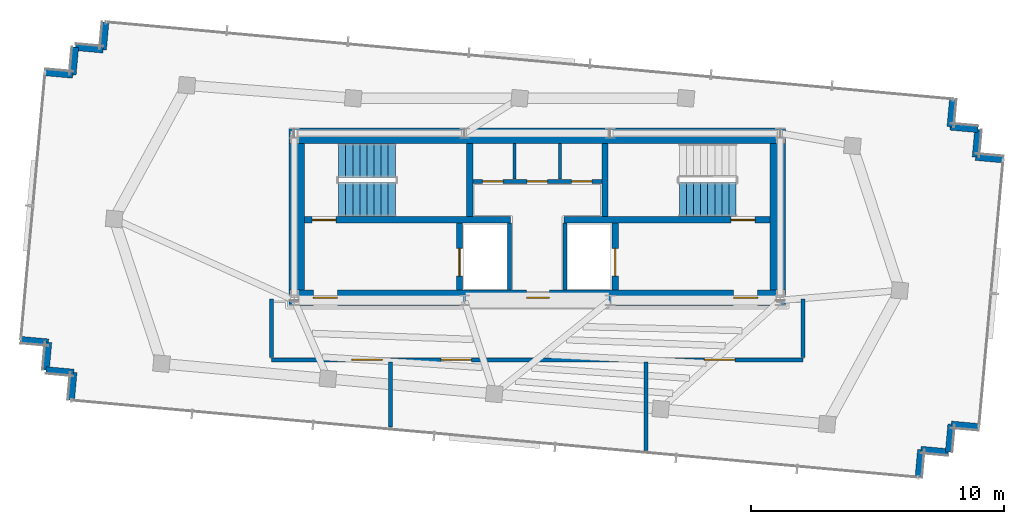
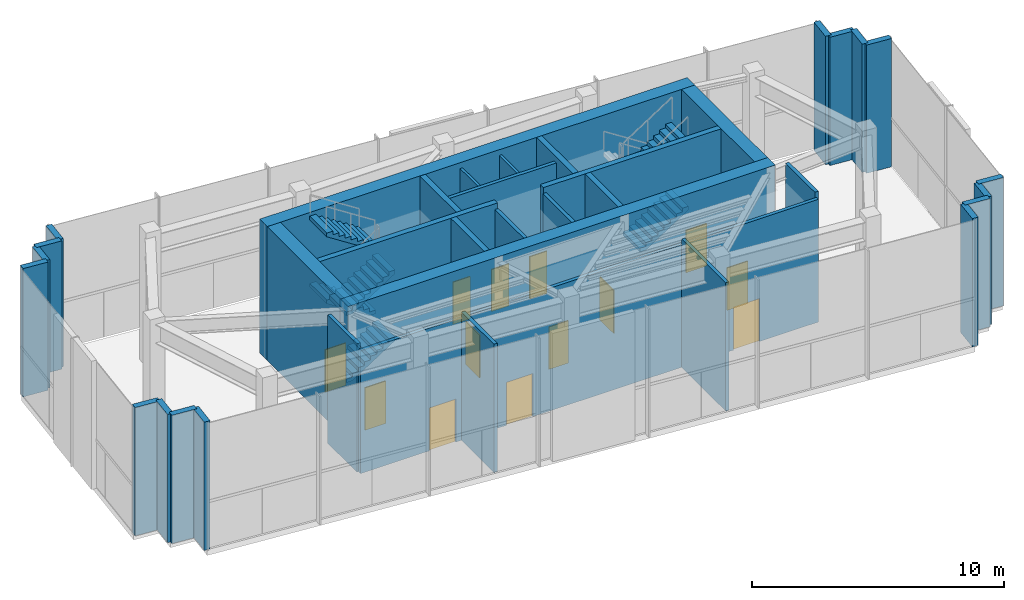
# One storey, part 16 of 19: 36 walls, 13 doors, 6 stair flights, 13 openings, 2 elements without a shape of their own.
"""IFC4 building model written with IfcOpenShell, lengths in metres."""

from ifc_helpers import new_model, si_unit, direction, frame, frame_2d, origin, place, context, subcontext, project, spatial, polyline, rectangle, outline, extrude, source, transform, mapped, material, layer, layer_set, type_object, type_shapes, element, fill, aggregate, save


model = new_model("IFC4")

# Units and contexts
model_context = context("Model", 3, precision=1e-05, world=origin(), true_north=direction((0.0, 1.0)))
body_context = subcontext(model_context, "Body", "Model", "MODEL_VIEW")
ifc_project = project(units=[si_unit("LENGTHUNIT", "METRE"), si_unit("AREAUNIT", "SQUARE_METRE"), si_unit("VOLUMEUNIT", "CUBIC_METRE"), si_unit("PLANEANGLEUNIT", "RADIAN"), si_unit("MASSUNIT", "GRAM", prefix="KILO")], contexts=[model_context])

# Site, building, storey
site_placement = place(None, origin())
site = spatial("IfcSite", under=ifc_project, at=site_placement, CompositionType="ELEMENT")
building_placement = place(site_placement, origin())
building = spatial("IfcBuilding", under=site, at=building_placement, Name="Astriad Promenade Condominiums", CompositionType="ELEMENT")
storey_placement = place(building_placement, frame((0.0, 0.0, 283.800048828125)))
storey = spatial("IfcBuildingStorey", under=building, at=storey_placement, Name="L79", CompositionType="ELEMENT", Elevation=283.800048828125)

# Wall, openings, doors
ifc_material_1 = material(Name="Concrete C50/60", Category="concrete")
ifc_layer_1 = layer(ifc_material_1, 0.60009765625)
ifc_layer_set_1 = layer_set([ifc_layer_1], Name="Concrete C50/60")
wall_type_1 = type_object("IfcWallType", Name="CW-SHEAR-600", PredefinedType="SHEAR", material=ifc_layer_set_1)
wall_1_placement = place(storey_placement, frame((26.199951171875, 17.5, 0.0), z_axis=(0.0, 0.0, 1.0), x_axis=(1.0, 0.0, 0.0)))
wall_1 = element("IfcWall", 1, at=wall_1_placement, inside=storey, type_object=wall_type_1, Name="CW-CORE-S-L79", PredefinedType="SHEAR", context=body_context, shape_type="SweptSolid", body=[
    extrude(rectangle(XDim=19.60009765625, YDim=0.60009765625, at=frame_2d((9.800048828125, 0.0))), origin(), (0.0, 0.0, 1.0), 6.5),
])
opening_1_placement = place(wall_1_placement, frame((0.949951171875, 0.0, 0.0)))
opening_1 = element("IfcOpeningElement", 2, at=opening_1_placement, cuts=wall_1, Name="Opening FD90-ST-095", PredefinedType="OPENING", context=body_context, shape_type="SweptSolid", body=[
    extrude(rectangle(XDim=0.949951171875, YDim=2.06005859375, at=frame_2d((0.47509765625, 1.030029296875))), frame((0.0, 0.31005859375, 0.0), z_axis=(0.0, -1.0, 0.0), x_axis=(1.0, 0.0, 0.0)), (0.0, 0.0, 1.0), 0.6201171875),
])
opening_2_placement = place(wall_1_placement, frame((9.3798828125, 0.0, 0.0)))
opening_2 = element("IfcOpeningElement", 3, at=opening_2_placement, cuts=wall_1, Name="Opening FD60-CSL-090", PredefinedType="OPENING", context=body_context, shape_type="SweptSolid", body=[
    extrude(rectangle(XDim=0.89990234375, YDim=2.06005859375, at=frame_2d((0.449951171875, 1.030029296875))), frame((0.0, 0.31005859375, 0.0), z_axis=(0.0, -1.0, 0.0), x_axis=(1.0, 0.0, 0.0)), (0.0, 0.0, 1.0), 0.6201171875),
])
opening_3_placement = place(wall_1_placement, frame((17.550048828125, 0.0, 0.0)))
opening_3 = element("IfcOpeningElement", 4, at=opening_3_placement, cuts=wall_1, Name="Opening FD90-ST-095", PredefinedType="OPENING", context=body_context, shape_type="SweptSolid", body=[
    extrude(rectangle(XDim=0.949951171875, YDim=2.06005859375, at=frame_2d((0.47509765625, 1.030029296875))), frame((0.0, 0.31005859375, 0.0), z_axis=(0.0, -1.0, 0.0), x_axis=(1.0, 0.0, 0.0)), (0.0, 0.0, 1.0), 0.6201171875),
])
ifc_material_2 = material(Name="Fire-Rated Hollow Metal Stair Door")
door_type_1 = type_object("IfcDoorType", Name="FD90-ST-095", OperationType="NOTDEFINED", PredefinedType="DOOR", material=ifc_material_2)
shared_shape_1 = source(origin(), body_context, "Body", "SweptSolid", [
    extrude(rectangle(XDim=0.949951171875, YDim=2.06005859375, at=frame_2d((0.47509765625, 1.030029296875))), frame((0.0, 0.02490234375, 0.0), z_axis=(0.0, -1.0, 0.0), x_axis=(1.0, 0.0, 0.0)), (0.0, 0.0, 1.0), 0.050048828125),
])
type_shapes(door_type_1, [shared_shape_1])
door_1_placement = place(opening_1_placement, origin())
door_1 = element("IfcDoor", 5, at=door_1_placement, inside=storey, type_object=door_type_1, Name="D-FFW-L79", OperationType="SINGLE_SWING_LEFT", OverallHeight=2.06005859375, OverallWidth=0.949951171875, PredefinedType="DOOR", context=body_context, shape_type="MappedRepresentation", body=[
    mapped(shared_shape_1, transform((0.0, 0.0, 0.0), scale=1.0)),
])
fill(opening_1, door_1)
door_2_placement = place(opening_3_placement, origin())
door_2 = element("IfcDoor", 6, at=door_2_placement, inside=storey, type_object=door_type_1, Name="D-FFE-L79", OperationType="SINGLE_SWING_RIGHT", OverallHeight=2.06005859375, OverallWidth=0.949951171875, PredefinedType="DOOR", context=body_context, shape_type="MappedRepresentation", body=[
    mapped(shared_shape_1, transform((0.0, 0.0, 0.0), scale=1.0)),
])
fill(opening_3, door_2)
ifc_material_3 = material(Name="Fire-Rated Service Lobby Door")
door_type_2 = type_object("IfcDoorType", Name="FD60-CSL-090", OperationType="NOTDEFINED", PredefinedType="DOOR", material=ifc_material_3)
shared_shape_2 = source(origin(), body_context, "Body", "SweptSolid", [
    extrude(rectangle(XDim=0.89990234375, YDim=2.06005859375, at=frame_2d((0.449951171875, 1.030029296875))), frame((0.0, 0.02490234375, 0.0), z_axis=(0.0, -1.0, 0.0), x_axis=(1.0, 0.0, 0.0)), (0.0, 0.0, 1.0), 0.050048828125),
])
type_shapes(door_type_2, [shared_shape_2])
door_3_placement = place(opening_2_placement, origin())
door_3 = element("IfcDoor", 7, at=door_3_placement, inside=storey, type_object=door_type_2, Name="D-CSL-L79", OperationType="SINGLE_SWING_RIGHT", OverallHeight=2.06005859375, OverallWidth=0.89990234375, PredefinedType="DOOR", context=body_context, shape_type="MappedRepresentation", body=[
    mapped(shared_shape_2, transform((0.0, 0.0, 0.0), scale=1.0)),
])
fill(opening_2, door_3)

# Walls
wall_2_placement = place(storey_placement, frame((26.199951171875, 23.89990234375, 0.0), z_axis=(0.0, 0.0, 1.0), x_axis=(1.0, 0.0, 0.0)))
element("IfcWall", 8, at=wall_2_placement, inside=storey, type_object=wall_type_1, Name="CW-CORE-N-L79", PredefinedType="SHEAR", context=body_context, shape_type="SweptSolid", body=[
    extrude(rectangle(XDim=19.60009765625, YDim=0.60009765625, at=frame_2d((9.800048828125, 0.0))), origin(), (0.0, 0.0, 1.0), 6.5),
])
for number, where, z_axis, x_axis, name in (
    (9, (26.5, 17.802001953125, 0.0), (0.0, 0.0, 1.0), (0.0, 1.0, 0.0), "CW-CORE-W-L79"),
    (10, (45.5, 17.802001953125, 0.0), (0.0, 0.0, 1.0), (0.0, 1.0, 0.0), "CW-CORE-E-L79"),
):
    element("IfcWall", number, at=place(storey_placement, frame(where, z_axis=z_axis, x_axis=x_axis)), inside=storey, type_object=wall_type_1, Name=name, PredefinedType="SHEAR", context=body_context, shape_type="SweptSolid", body=[
        extrude(rectangle(XDim=5.7958984375, YDim=0.60009765625, at=frame_2d((2.89794921875, 0.0))), origin(), (0.0, 0.0, 1.0), 6.5),
    ])

# Wall, opening, door
ifc_layer_2 = layer(ifc_material_1, 0.25)
ifc_layer_set_2 = layer_set([ifc_layer_2], Name="Concrete C50/60")
wall_type_2 = type_object("IfcWallType", Name="WALL-CORE-INT-250", PredefinedType="SOLIDWALL", material=ifc_layer_set_2)
wall_3_placement = place(storey_placement, frame((26.802001953125, 20.574951171875, 0.0), z_axis=(0.0, 0.0, 1.0), x_axis=(1.0, 0.0, 0.0)))
wall_3 = element("IfcWall", 11, at=wall_3_placement, inside=storey, type_object=wall_type_2, Name="CW-INT-H1-L79", PredefinedType="SOLIDWALL", context=body_context, shape_type="SweptSolid", body=[
    extrude(rectangle(XDim=8.14794921875, YDim=0.25, at=frame_2d((4.073974609375, 0.0))), origin(), (0.0, 0.0, 1.0), 6.5),
])
opening_4_placement = place(wall_3_placement, frame((0.298095703125, 0.0, 0.0)))
opening_4 = element("IfcOpeningElement", 12, at=opening_4_placement, cuts=wall_3, Name="Opening FD90-ST-095", PredefinedType="OPENING", context=body_context, shape_type="SweptSolid", body=[
    extrude(rectangle(XDim=0.949951171875, YDim=2.06005859375, at=frame_2d((0.47509765625, 1.030029296875))), frame((0.0, 0.135009765625, 0.0), z_axis=(0.0, -1.0, 0.0), x_axis=(1.0, 0.0, 0.0)), (0.0, 0.0, 1.0), 0.27001953125),
])
door_4_placement = place(opening_4_placement, origin())
door_4 = element("IfcDoor", 13, at=door_4_placement, inside=storey, type_object=door_type_1, Name="D-ST1-L79", OperationType="SINGLE_SWING_LEFT", OverallHeight=2.06005859375, OverallWidth=0.949951171875, PredefinedType="DOOR", context=body_context, shape_type="MappedRepresentation", body=[
    mapped(shared_shape_1, transform((0.0, 0.0, 0.0), scale=1.0)),
])
fill(opening_4, door_4)

wall_4_placement = place(storey_placement, frame((37.050048828125, 20.574951171875, 0.0), z_axis=(0.0, 0.0, 1.0), x_axis=(1.0, 0.0, 0.0)))
wall_4 = element("IfcWall", 14, at=wall_4_placement, inside=storey, type_object=wall_type_2, Name="CW-INT-H2-L79", PredefinedType="SOLIDWALL", context=body_context, shape_type="SweptSolid", body=[
    extrude(rectangle(XDim=8.14794921875, YDim=0.25, at=frame_2d((4.073974609375, 0.0))), origin(), (0.0, 0.0, 1.0), 6.5),
])
opening_5_placement = place(wall_4_placement, frame((6.60009765625, 0.0, 0.0)))
opening_5 = element("IfcOpeningElement", 15, at=opening_5_placement, cuts=wall_4, Name="Opening FD90-ST-095", PredefinedType="OPENING", context=body_context, shape_type="SweptSolid", body=[
    extrude(rectangle(XDim=0.949951171875, YDim=2.06005859375, at=frame_2d((0.47509765625, 1.030029296875))), frame((0.0, 0.135009765625, 0.0), z_axis=(0.0, -1.0, 0.0), x_axis=(1.0, 0.0, 0.0)), (0.0, 0.0, 1.0), 0.27001953125),
])
door_5_placement = place(opening_5_placement, origin())
door_5 = element("IfcDoor", 16, at=door_5_placement, inside=storey, type_object=door_type_1, Name="D-ST2-L79", OperationType="SINGLE_SWING_RIGHT", OverallHeight=2.06005859375, OverallWidth=0.949951171875, PredefinedType="DOOR", context=body_context, shape_type="MappedRepresentation", body=[
    mapped(shared_shape_1, transform((0.0, 0.0, 0.0), scale=1.0)),
])
fill(opening_5, door_5)

# Walls
for number, where, z_axis, x_axis, name in (
    (17, (33.324951171875, 20.701904296875, 0.0), (0.0, 0.0, 1.0), (0.0, 1.0, 0.0), "CW-ST1-E-L79"),
    (18, (38.675048828125, 20.701904296875, 0.0), (0.0, 0.0, 1.0), (0.0, 1.0, 0.0), "CW-ST2-W-L79"),
):
    element("IfcWall", number, at=place(storey_placement, frame(where, z_axis=z_axis, x_axis=x_axis)), inside=storey, type_object=wall_type_2, Name=name, PredefinedType="SOLIDWALL", context=body_context, shape_type="SweptSolid", body=[
        extrude(rectangle(XDim=2.89599609375, YDim=0.25, at=frame_2d((1.447998046875, 0.0))), origin(), (0.0, 0.0, 1.0), 6.5),
    ])

# Wall, opening, door
wall_5_placement = place(storey_placement, frame((32.925048828125, 17.802001953125, 0.0), z_axis=(0.0, 0.0, 1.0), x_axis=(0.0, 1.0, 0.0)))
wall_5 = element("IfcWall", 19, at=wall_5_placement, inside=storey, type_object=wall_type_2, Name="CW-FFL1-W-L79", PredefinedType="SOLIDWALL", context=body_context, shape_type="SweptSolid", body=[
    extrude(rectangle(XDim=2.64599609375, YDim=0.25, at=frame_2d((1.322998046875, 0.0))), origin(), (0.0, 0.0, 1.0), 6.5),
])
opening_6_placement = place(wall_5_placement, frame((0.548095703125, 0.0, 0.0)))
opening_6 = element("IfcOpeningElement", 20, at=opening_6_placement, cuts=wall_5, Name="Opening LD-FFL-1122", PredefinedType="OPENING", context=body_context, shape_type="SweptSolid", body=[
    extrude(rectangle(XDim=1.10009765625, YDim=2.080078125, at=frame_2d((0.550048828125, 1.0400390625))), frame((0.0, 0.135009765625, 0.0), z_axis=(0.0, -1.0, 0.0), x_axis=(1.0, 0.0, 0.0)), (0.0, 0.0, 1.0), 0.27001953125),
])
ifc_material_4 = material(Name="Brushed Stainless Steel Fire Elevator Landing Door", Category="steel")
door_type_3 = type_object("IfcDoorType", Name="LD-FFL-1122", OperationType="NOTDEFINED", PredefinedType="DOOR", material=ifc_material_4)
shared_shape_3 = source(origin(), body_context, "Body", "SweptSolid", [
    extrude(rectangle(XDim=1.10009765625, YDim=2.080078125, at=frame_2d((0.550048828125, 1.0400390625))), frame((0.0, 0.02490234375, 0.0), z_axis=(0.0, -1.0, 0.0), x_axis=(1.0, 0.0, 0.0)), (0.0, 0.0, 1.0), 0.050048828125),
])
type_shapes(door_type_3, [shared_shape_3])
door_6_placement = place(opening_6_placement, origin())
door_6 = element("IfcDoor", 21, at=door_6_placement, inside=storey, type_object=door_type_3, Name="Elevator Landing Door FFL-1 (L79)", OperationType="SLIDING_TO_LEFT", OverallHeight=2.080078125, OverallWidth=1.10009765625, PredefinedType="DOOR", context=body_context, shape_type="MappedRepresentation", body=[
    mapped(shared_shape_3, transform((0.0, 0.0, 0.0), scale=1.0)),
])
fill(opening_6, door_6)

wall_6_placement = place(storey_placement, frame((39.074951171875, 17.802001953125, 0.0), z_axis=(0.0, 0.0, 1.0), x_axis=(0.0, 1.0, 0.0)))
wall_6 = element("IfcWall", 22, at=wall_6_placement, inside=storey, type_object=wall_type_2, Name="CW-FFL2-E-L79", PredefinedType="SOLIDWALL", context=body_context, shape_type="SweptSolid", body=[
    extrude(rectangle(XDim=2.64599609375, YDim=0.25, at=frame_2d((1.322998046875, 0.0))), origin(), (0.0, 0.0, 1.0), 6.5),
])
opening_7_placement = place(wall_6_placement, frame((0.548095703125, 0.0, 0.0)))
opening_7 = element("IfcOpeningElement", 23, at=opening_7_placement, cuts=wall_6, Name="Opening LD-FFL-1122", PredefinedType="OPENING", context=body_context, shape_type="SweptSolid", body=[
    extrude(rectangle(XDim=1.10009765625, YDim=2.080078125, at=frame_2d((0.550048828125, 1.0400390625))), frame((0.0, 0.135009765625, 0.0), z_axis=(0.0, -1.0, 0.0), x_axis=(1.0, 0.0, 0.0)), (0.0, 0.0, 1.0), 0.27001953125),
])
door_7_placement = place(opening_7_placement, origin())
door_7 = element("IfcDoor", 24, at=door_7_placement, inside=storey, type_object=door_type_3, Name="Elevator Landing Door FFL-2 (L79)", OperationType="SLIDING_TO_RIGHT", OverallHeight=2.080078125, OverallWidth=1.10009765625, PredefinedType="DOOR", context=body_context, shape_type="MappedRepresentation", body=[
    mapped(shared_shape_3, transform((0.0, 0.0, 0.0), scale=1.0)),
])
fill(opening_7, door_7)

# Walls
ifc_material_5 = material(Name="Fire-Rated Gypsum Partition")
ifc_layer_3 = layer(ifc_material_5, 0.159912109375)
ifc_layer_set_3 = layer_set([ifc_layer_3], Name="Fire-Rated Gypsum Partition")
wall_type_3 = type_object("IfcWallType", Name="WALL-CORR-160", PredefinedType="PARTITIONING", material=ifc_layer_set_3)
for number, where, z_axis, x_axis, name in (
    (25, (34.89990234375, 17.802001953125, 0.0), (0.0, 0.0, 1.0), (0.0, 1.0, 0.0), "CW-FFL1-E-L79"),
    (26, (37.10009765625, 17.802001953125, 0.0), (0.0, 0.0, 1.0), (0.0, 1.0, 0.0), "CW-FFL2-W-L79"),
):
    element("IfcWall", number, at=place(storey_placement, frame(where, z_axis=z_axis, x_axis=x_axis)), inside=storey, type_object=wall_type_3, Name=name, PredefinedType="PARTITIONING", context=body_context, shape_type="SweptSolid", body=[
        extrude(rectangle(XDim=2.64599609375, YDim=0.159912109375, at=frame_2d((1.322998046875, 0.0))), origin(), (0.0, 0.0, 1.0), 6.219970703125),
    ])

# Wall, openings, doors
wall_7_placement = place(storey_placement, frame((33.451904296875, 22.10009765625, 0.0), z_axis=(0.0, 0.0, 1.0), x_axis=(1.0, 0.0, 0.0)))
wall_7 = element("IfcWall", 27, at=wall_7_placement, inside=storey, type_object=wall_type_3, Name="CW-AUX-N-L79", PredefinedType="PARTITIONING", context=body_context, shape_type="SweptSolid", body=[
    extrude(rectangle(XDim=5.09619140625, YDim=0.159912109375, at=frame_2d((2.548095703125, 0.0))), origin(), (0.0, 0.0, 1.0), 6.219970703125),
])
opening_8_placement = place(wall_7_placement, frame((0.387939453125, 0.0, 0.0)))
opening_8 = element("IfcOpeningElement", 28, at=opening_8_placement, cuts=wall_7, Name="Opening FD60-SV-080", PredefinedType="OPENING", context=body_context, shape_type="SweptSolid", body=[
    extrude(rectangle(XDim=0.800048828125, YDim=2.050048828125, at=frame_2d((0.39990234375, 1.02490234375))), frame((0.0, 0.08984375, 0.0), z_axis=(0.0, -1.0, 0.0), x_axis=(1.0, 0.0, 0.0)), (0.0, 0.0, 1.0), 0.179931640625),
])
opening_9_placement = place(wall_7_placement, frame((2.14794921875, 0.0, 0.0)))
opening_9 = element("IfcOpeningElement", 29, at=opening_9_placement, cuts=wall_7, Name="Opening FD60-SV-080", PredefinedType="OPENING", context=body_context, shape_type="SweptSolid", body=[
    extrude(rectangle(XDim=0.800048828125, YDim=2.050048828125, at=frame_2d((0.39990234375, 1.02490234375))), frame((0.0, 0.08984375, 0.0), z_axis=(0.0, -1.0, 0.0), x_axis=(1.0, 0.0, 0.0)), (0.0, 0.0, 1.0), 0.179931640625),
])
opening_10_placement = place(wall_7_placement, frame((3.907958984375, 0.0, 0.0)))
opening_10 = element("IfcOpeningElement", 30, at=opening_10_placement, cuts=wall_7, Name="Opening FD60-SV-080", PredefinedType="OPENING", context=body_context, shape_type="SweptSolid", body=[
    extrude(rectangle(XDim=0.800048828125, YDim=2.050048828125, at=frame_2d((0.39990234375, 1.02490234375))), frame((0.0, 0.08984375, 0.0), z_axis=(0.0, -1.0, 0.0), x_axis=(1.0, 0.0, 0.0)), (0.0, 0.0, 1.0), 0.179931640625),
])
ifc_material_6 = material(Name="Fire-Rated Riser Closet Door")
door_type_4 = type_object("IfcDoorType", Name="FD60-SV-080", OperationType="NOTDEFINED", PredefinedType="DOOR", material=ifc_material_6)
shared_shape_4 = source(origin(), body_context, "Body", "SweptSolid", [
    extrude(rectangle(XDim=0.800048828125, YDim=2.050048828125, at=frame_2d((0.39990234375, 1.02490234375))), frame((0.0, 0.02490234375, 0.0), z_axis=(0.0, -1.0, 0.0), x_axis=(1.0, 0.0, 0.0)), (0.0, 0.0, 1.0), 0.050048828125),
])
type_shapes(door_type_4, [shared_shape_4])
door_8_placement = place(opening_8_placement, origin())
door_8 = element("IfcDoor", 31, at=door_8_placement, inside=storey, type_object=door_type_4, Name="D-AUX1-L79", OperationType="SINGLE_SWING_LEFT", OverallHeight=2.050048828125, OverallWidth=0.800048828125, PredefinedType="DOOR", context=body_context, shape_type="MappedRepresentation", body=[
    mapped(shared_shape_4, transform((0.0, 0.0, 0.0), scale=1.0)),
])
fill(opening_8, door_8)
door_9_placement = place(opening_9_placement, origin())
door_9 = element("IfcDoor", 32, at=door_9_placement, inside=storey, type_object=door_type_4, Name="D-AUX2-L79", OperationType="SINGLE_SWING_RIGHT", OverallHeight=2.050048828125, OverallWidth=0.800048828125, PredefinedType="DOOR", context=body_context, shape_type="MappedRepresentation", body=[
    mapped(shared_shape_4, transform((0.0, 0.0, 0.0), scale=1.0)),
])
fill(opening_9, door_9)
door_10_placement = place(opening_10_placement, origin())
door_10 = element("IfcDoor", 33, at=door_10_placement, inside=storey, type_object=door_type_4, Name="D-AUX3-L79", OperationType="SINGLE_SWING_LEFT", OverallHeight=2.050048828125, OverallWidth=0.800048828125, PredefinedType="DOOR", context=body_context, shape_type="MappedRepresentation", body=[
    mapped(shared_shape_4, transform((0.0, 0.0, 0.0), scale=1.0)),
])
fill(opening_10, door_10)

wall_8_placement = place(storey_placement, frame((25.5, 15.050048828125, 0.0), z_axis=(0.0, 0.0, 1.0), x_axis=(1.0, 0.0, 0.0)))
wall_8 = element("IfcWall", 34, at=wall_8_placement, inside=storey, type_object=wall_type_3, Name="PT-L79-CS", PredefinedType="PARTITIONING", context=body_context, shape_type="SweptSolid", body=[
    extrude(rectangle(XDim=21.0, YDim=0.159912109375, at=frame_2d((10.5, 0.0))), origin(), (0.0, 0.0, 1.0), 5.947998046875),
])
opening_11_placement = place(wall_8_placement, frame((3.169921875, 0.0, 0.0)))
opening_11 = element("IfcOpeningElement", 35, at=opening_11_placement, cuts=wall_8, Name="Opening FD90-PLT-1222", PredefinedType="OPENING", context=body_context, shape_type="SweptSolid", body=[
    extrude(rectangle(XDim=1.199951171875, YDim=2.080078125, at=frame_2d((0.60009765625, 1.0400390625))), frame((0.0, 0.08984375, 0.0), z_axis=(0.0, -1.0, 0.0), x_axis=(1.0, 0.0, 0.0)), (0.0, 0.0, 1.0), 0.179931640625),
])
opening_12_placement = place(wall_8_placement, frame((6.699951171875, 0.0, 0.0)))
opening_12 = element("IfcOpeningElement", 36, at=opening_12_placement, cuts=wall_8, Name="Opening FD90-PLT-1222", PredefinedType="OPENING", context=body_context, shape_type="SweptSolid", body=[
    extrude(rectangle(XDim=1.199951171875, YDim=2.080078125, at=frame_2d((0.60009765625, 1.0400390625))), frame((0.0, 0.08984375, 0.0), z_axis=(0.0, -1.0, 0.0), x_axis=(1.0, 0.0, 0.0)), (0.0, 0.0, 1.0), 0.179931640625),
])
opening_13_placement = place(wall_8_placement, frame((17.10009765625, 0.0, 0.0)))
opening_13 = element("IfcOpeningElement", 37, at=opening_13_placement, cuts=wall_8, Name="Opening FD90-PLT-1222", PredefinedType="OPENING", context=body_context, shape_type="SweptSolid", body=[
    extrude(rectangle(XDim=1.199951171875, YDim=2.080078125, at=frame_2d((0.60009765625, 1.0400390625))), frame((0.0, 0.08984375, 0.0), z_axis=(0.0, -1.0, 0.0), x_axis=(1.0, 0.0, 0.0)), (0.0, 0.0, 1.0), 0.179931640625),
])
ifc_material_7 = material(Name="Fire-Rated Double-Insulated Plant Door")
door_type_5 = type_object("IfcDoorType", Name="FD90-PLT-1222", OperationType="NOTDEFINED", PredefinedType="DOOR", material=ifc_material_7)
shared_shape_5 = source(origin(), body_context, "Body", "SweptSolid", [
    extrude(rectangle(XDim=1.199951171875, YDim=2.080078125, at=frame_2d((0.60009765625, 1.0400390625))), frame((0.0, 0.02490234375, 0.0), z_axis=(0.0, -1.0, 0.0), x_axis=(1.0, 0.0, 0.0)), (0.0, 0.0, 1.0), 0.050048828125),
])
type_shapes(door_type_5, [shared_shape_5])
door_11_placement = place(opening_11_placement, origin())
door_11 = element("IfcDoor", 38, at=door_11_placement, inside=storey, type_object=door_type_5, Name="D-L79-PW", OperationType="SINGLE_SWING_RIGHT", OverallHeight=2.080078125, OverallWidth=1.199951171875, PredefinedType="DOOR", context=body_context, shape_type="MappedRepresentation", body=[
    mapped(shared_shape_5, transform((0.0, 0.0, 0.0), scale=1.0)),
])
fill(opening_11, door_11)
door_12_placement = place(opening_12_placement, origin())
door_12 = element("IfcDoor", 39, at=door_12_placement, inside=storey, type_object=door_type_5, Name="D-L79-PC", OperationType="SINGLE_SWING_LEFT", OverallHeight=2.080078125, OverallWidth=1.199951171875, PredefinedType="DOOR", context=body_context, shape_type="MappedRepresentation", body=[
    mapped(shared_shape_5, transform((0.0, 0.0, 0.0), scale=1.0)),
])
fill(opening_12, door_12)
door_13_placement = place(opening_13_placement, origin())
door_13 = element("IfcDoor", 40, at=door_13_placement, inside=storey, type_object=door_type_5, Name="D-L79-PE", OperationType="SINGLE_SWING_RIGHT", OverallHeight=2.080078125, OverallWidth=1.199951171875, PredefinedType="DOOR", context=body_context, shape_type="MappedRepresentation", body=[
    mapped(shared_shape_5, transform((0.0, 0.0, 0.0), scale=1.0)),
])
fill(opening_13, door_13)

# Walls
for number, where, z_axis, x_axis, name in (
    (41, (25.5, 15.132080078125, 0.0), (0.0, 0.0, 1.0), (0.0, 1.0, 0.0), "PT-L79-CWSP"),
    (42, (46.5, 15.132080078125, 0.0), (0.0, 0.0, 1.0), (0.0, 1.0, 0.0), "PT-L79-CESP"),
):
    element("IfcWall", number, at=place(storey_placement, frame(where, z_axis=z_axis, x_axis=x_axis)), inside=storey, type_object=wall_type_3, Name=name, PredefinedType="PARTITIONING", context=body_context, shape_type="SweptSolid", body=[
        extrude(rectangle(XDim=2.31787109375, YDim=0.159912109375, at=frame_2d((1.158935546875, 0.0))), origin(), (0.0, 0.0, 1.0), 6.219970703125),
    ])
wall_9_placement = place(storey_placement, frame((30.199951171875, 12.38623046875, 0.0), z_axis=(0.0, 0.0, 1.0), x_axis=(0.0, 1.0, 0.0)))
element("IfcWall", 43, at=wall_9_placement, inside=storey, type_object=wall_type_3, Name="PT-L79-VW", PredefinedType="PARTITIONING", context=body_context, shape_type="SweptSolid", body=[
    extrude(rectangle(XDim=2.581787109375, YDim=0.159912109375, at=frame_2d((1.291015625, 0.0))), origin(), (0.0, 0.0, 1.0), 6.219970703125),
])
wall_10_placement = place(storey_placement, frame((40.300048828125, 11.467041015625, 0.0), z_axis=(0.0, 0.0, 1.0), x_axis=(0.0, 1.0, 0.0)))
element("IfcWall", 44, at=wall_10_placement, inside=storey, type_object=wall_type_3, Name="PT-L79-VE", PredefinedType="PARTITIONING", context=body_context, shape_type="SweptSolid", body=[
    extrude(rectangle(XDim=3.5009765625, YDim=0.159912109375, at=frame_2d((1.75048828125, 0.0))), origin(), (0.0, 0.0, 1.0), 6.219970703125),
])
ifc_material_8 = material(Name="Precast concrete C50/60", Category="concrete")
ifc_layer_4 = layer(ifc_material_8, 0.260009765625)
ifc_layer_set_4 = layer_set([ifc_layer_4], Name="Precast concrete C50/60")
wall_type_4 = type_object("IfcWallType", Name="WALL-EXT-TWR-260", PredefinedType="STANDARD", material=ifc_layer_set_4)
wall_11_placement = place(storey_placement, frame((17.689208984375, 14.549072265625, 0.0), z_axis=(0.0, 0.0, 1.0), x_axis=(-0.995893206468, 0.090535746043, 0.0)))
element("IfcWall", 45, at=wall_11_placement, inside=storey, type_object=wall_type_4, Name="W-CRN-L79-00", PredefinedType="STANDARD", context=body_context, shape_type="SweptSolid", body=[
    extrude(rectangle(XDim=1.100341796875, YDim=0.260009765625, at=frame_2d((0.55029296875, 0.0))), origin(), (0.0, 0.0, 1.0), 6.219970703125),
])
for number, where, z_axis, x_axis, name in (
    (46, (16.593505859375, 14.648681640625, 0.0), (0.0, 0.0, 1.0), (0.09077588162, 0.995871346769, 0.0), "W-CRN-L79-01"),
    (47, (16.693359375, 15.744140625, 0.0), (0.0, 0.0, 1.0), (-0.995891387001, 0.090555757944, 0.0), "W-CRN-L79-02"),
    (48, (16.55859375, 26.400146484375, 0.0), (0.0, 0.0, 1.0), (0.995891387001, -0.090555757944, 0.0), "W-CRN-L79-04"),
    (49, (17.654052734375, 26.300537109375, 0.0), (0.0, 0.0, 1.0), (0.090555757944, 0.995891387001, 0.0), "W-CRN-L79-05"),
    (50, (17.753662109375, 27.39599609375, 0.0), (0.0, 0.0, 1.0), (0.995891387001, -0.090555757944, 0.0), "W-CRN-L79-06"),
    (51, (18.84912109375, 27.29638671875, 0.0), (0.0, 0.0, 1.0), (0.09077588162, 0.995871346769, 0.0), "W-CRN-L79-07"),
    (52, (52.41064453125, 25.346435546875, 0.0), (0.0, 0.0, 1.0), (-0.09077588162, -0.995871346769, 0.0), "W-CRN-L79-09"),
):
    element("IfcWall", number, at=place(storey_placement, frame(where, z_axis=z_axis, x_axis=x_axis)), inside=storey, type_object=wall_type_4, Name=name, PredefinedType="STANDARD", context=body_context, shape_type="SweptSolid", body=[
        extrude(rectangle(XDim=1.10009765625, YDim=0.260009765625, at=frame_2d((0.550048828125, 0.0))), origin(), (0.0, 0.0, 1.0), 6.219970703125),
    ])
wall_12_placement = place(storey_placement, frame((52.310791015625, 24.2509765625, 0.0), z_axis=(0.0, 0.0, 1.0), x_axis=(0.995893206468, -0.090535746043, 0.0)))
element("IfcWall", 53, at=wall_12_placement, inside=storey, type_object=wall_type_4, Name="W-CRN-L79-10", PredefinedType="STANDARD", context=body_context, shape_type="SweptSolid", body=[
    extrude(rectangle(XDim=1.100341796875, YDim=0.260009765625, at=frame_2d((0.55029296875, 0.0))), origin(), (0.0, 0.0, 1.0), 6.219970703125),
])
for number, where, z_axis, x_axis, name in (
    (54, (53.406494140625, 24.1513671875, 0.0), (0.0, 0.0, 1.0), (-0.09077588162, -0.995871346769, 0.0), "W-CRN-L79-11"),
    (55, (53.306640625, 23.055908203125, 0.0), (0.0, 0.0, 1.0), (0.995891387001, -0.090555757944, 0.0), "W-CRN-L79-12"),
    (56, (53.44140625, 12.39990234375, 0.0), (0.0, 0.0, 1.0), (-0.995891387001, 0.090555757944, 0.0), "W-CRN-L79-14"),
    (57, (52.345947265625, 12.49951171875, 0.0), (0.0, 0.0, 1.0), (-0.090555757944, -0.995891387001, 0.0), "W-CRN-L79-15"),
    (58, (52.246337890625, 11.404052734375, 0.0), (0.0, 0.0, 1.0), (-0.995891387001, 0.090555757944, 0.0), "W-CRN-L79-16"),
    (59, (51.15087890625, 11.503662109375, 0.0), (0.0, 0.0, 1.0), (-0.09077588162, -0.995871346769, 0.0), "W-CRN-L79-17"),
    (60, (17.58935546875, 13.45361328125, 0.0), (0.0, 0.0, 1.0), (0.09077588162, 0.995871346769, 0.0), "W-CRN-L79-19"),
):
    element("IfcWall", number, at=place(storey_placement, frame(where, z_axis=z_axis, x_axis=x_axis)), inside=storey, type_object=wall_type_4, Name=name, PredefinedType="STANDARD", context=body_context, shape_type="SweptSolid", body=[
        extrude(rectangle(XDim=1.10009765625, YDim=0.260009765625, at=frame_2d((0.550048828125, 0.0))), origin(), (0.0, 0.0, 1.0), 6.219970703125),
    ])
ifc_material_9 = material(Name="Acoustic Metal-Stud Gypsum Partition")
ifc_layer_5 = layer(ifc_material_9, 0.1201171875)
ifc_layer_set_5 = layer_set([ifc_layer_5], Name="Acoustic Metal-Stud Gypsum Partition")
wall_type_5 = type_object("IfcWallType", Name="WALL-PART-120", PredefinedType="PARTITIONING", material=ifc_layer_set_5)
for number, where, z_axis, x_axis, name in (
    (61, (35.10009765625, 22.181884765625, 0.0), (0.0, 0.0, 1.0), (0.0, 1.0, 0.0), "CW-AUX-V1-L79"),
    (62, (36.89990234375, 22.181884765625, 0.0), (0.0, 0.0, 1.0), (0.0, 1.0, 0.0), "CW-AUX-V2-L79"),
):
    element("IfcWall", number, at=place(storey_placement, frame(where, z_axis=z_axis, x_axis=x_axis)), inside=storey, type_object=wall_type_5, Name=name, PredefinedType="PARTITIONING", context=body_context, shape_type="SweptSolid", body=[
        extrude(rectangle(XDim=1.416015625, YDim=0.1201171875, at=frame_2d((0.7080078125, 0.0))), origin(), (0.0, 0.0, 1.0), 6.219970703125),
    ])

# Stair, stair flights
stair_type = type_object("IfcStairType", Name="STR-CORE-1350", PredefinedType="HALF_TURN_STAIR", material=ifc_material_1)
stair_1_placement = place(storey_placement, origin())
stair_1 = element("IfcStair", 63, at=stair_1_placement, inside=storey, type_object=stair_type, Name="L79 Enclosed Core Exit Stair ST-1", PredefinedType="HALF_TURN_STAIR")
stair_flight_type = type_object("IfcStairFlightType", Name="SFL-CORE-1350", PredefinedType="STRAIGHT", material=ifc_material_1)
shared_shape_6 = source(origin(), body_context, "Body", "SweptSolid", [
    extrude(outline(polyline([(0.0, 0.0), (0.0, 0.1806640625), (0.280029296875, 0.1806640625), (0.280029296875, 0.361083984375), (0.56005859375, 0.361083984375), (0.56005859375, 0.541748046875), (0.840087890625, 0.541748046875), (0.840087890625, 0.72216796875), (1.1201171875, 0.72216796875), (1.1201171875, 0.90283203125), (1.39990234375, 0.90283203125), (1.39990234375, 1.083251953125), (1.679931640625, 1.083251953125), (1.679931640625, 1.263916015625), (1.9599609375, 1.263916015625), (1.9599609375, 1.4443359375), (2.239990234375, 1.4443359375), (2.239990234375, 1.625), (2.239990234375, 1.26611328125), (0.276611328125, 0.0), (0.0, 0.0)])), frame((0.0, 0.675048828125, 0.0), z_axis=(0.0, -1.0, 0.0), x_axis=(1.0, 0.0, 0.0)), (0.0, 0.0, 1.0), 1.35009765625),
])
type_shapes(stair_flight_type, [shared_shape_6])
stair_flight_1_placement = place(storey_placement, frame((28.14990234375, 21.375, 0.0), z_axis=(0.0, 0.0, 1.0), x_axis=(1.0, 0.0, 0.0)))
stair_flight_1 = element("IfcStairFlight", 64, at=stair_flight_1_placement, type_object=stair_flight_type, Name="ST-1 flight 1", NumberOfRisers=9, NumberOfTreads=8, PredefinedType="STRAIGHT", RiserHeight=0.180555556, TreadLength=0.28, context=body_context, shape_type="MappedRepresentation", body=[
    mapped(shared_shape_6, transform((0.0, 0.0, 0.0), scale=1.0)),
])
stair_flight_2_placement = place(storey_placement, frame((30.389892578125, 22.925048828125, 1.625), z_axis=(0.0, 0.0, 1.0), x_axis=(-1.0, 0.0, 0.0)))
stair_flight_2 = element("IfcStairFlight", 65, at=stair_flight_2_placement, type_object=stair_flight_type, Name="ST-1 flight 2", NumberOfRisers=9, NumberOfTreads=8, PredefinedType="STRAIGHT", RiserHeight=0.180555556, TreadLength=0.28, context=body_context, shape_type="MappedRepresentation", body=[
    mapped(shared_shape_6, transform((0.0, 0.0, 0.0), scale=1.0)),
])
stair_flight_3_placement = place(storey_placement, frame((28.14990234375, 21.375, 3.25), z_axis=(0.0, 0.0, 1.0), x_axis=(1.0, 0.0, 0.0)))
stair_flight_3 = element("IfcStairFlight", 66, at=stair_flight_3_placement, type_object=stair_flight_type, Name="ST-1 flight 3", NumberOfRisers=9, NumberOfTreads=8, PredefinedType="STRAIGHT", RiserHeight=0.180555556, TreadLength=0.28, context=body_context, shape_type="MappedRepresentation", body=[
    mapped(shared_shape_6, transform((0.0, 0.0, 0.0), scale=1.0)),
])
stair_flight_4_placement = place(storey_placement, frame((30.389892578125, 22.925048828125, 4.875), z_axis=(0.0, 0.0, 1.0), x_axis=(-1.0, 0.0, 0.0)))
stair_flight_4 = element("IfcStairFlight", 67, at=stair_flight_4_placement, type_object=stair_flight_type, Name="ST-1 flight 4", NumberOfRisers=9, NumberOfTreads=8, PredefinedType="STRAIGHT", RiserHeight=0.180555556, TreadLength=0.28, context=body_context, shape_type="MappedRepresentation", body=[
    mapped(shared_shape_6, transform((0.0, 0.0, 0.0), scale=1.0)),
])
aggregate(stair_1, [stair_flight_1, stair_flight_2, stair_flight_3, stair_flight_4])

stair_2_placement = place(storey_placement, origin())
stair_2 = element("IfcStair", 68, at=stair_2_placement, inside=storey, type_object=stair_type, Name="L79 Enclosed Core Exit Stair ST-2", PredefinedType="HALF_TURN_STAIR")
stair_flight_5_placement = place(storey_placement, frame((41.610107421875, 21.375, 1.625), z_axis=(0.0, 0.0, 1.0), x_axis=(1.0, 0.0, 0.0)))
stair_flight_5 = element("IfcStairFlight", 69, at=stair_flight_5_placement, type_object=stair_flight_type, Name="ST-2 flight 2", NumberOfRisers=9, NumberOfTreads=8, PredefinedType="STRAIGHT", RiserHeight=0.180555556, TreadLength=0.28, context=body_context, shape_type="MappedRepresentation", body=[
    mapped(shared_shape_6, transform((0.0, 0.0, 0.0), scale=1.0)),
])
stair_flight_6_placement = place(storey_placement, frame((41.610107421875, 21.375, 4.875), z_axis=(0.0, 0.0, 1.0), x_axis=(1.0, 0.0, 0.0)))
stair_flight_6 = element("IfcStairFlight", 70, at=stair_flight_6_placement, type_object=stair_flight_type, Name="ST-2 flight 4", NumberOfRisers=9, NumberOfTreads=8, PredefinedType="STRAIGHT", RiserHeight=0.180555556, TreadLength=0.28, context=body_context, shape_type="MappedRepresentation", body=[
    mapped(shared_shape_6, transform((0.0, 0.0, 0.0), scale=1.0)),
])
aggregate(stair_2, [stair_flight_5, stair_flight_6])

save(model, "model.ifc")
